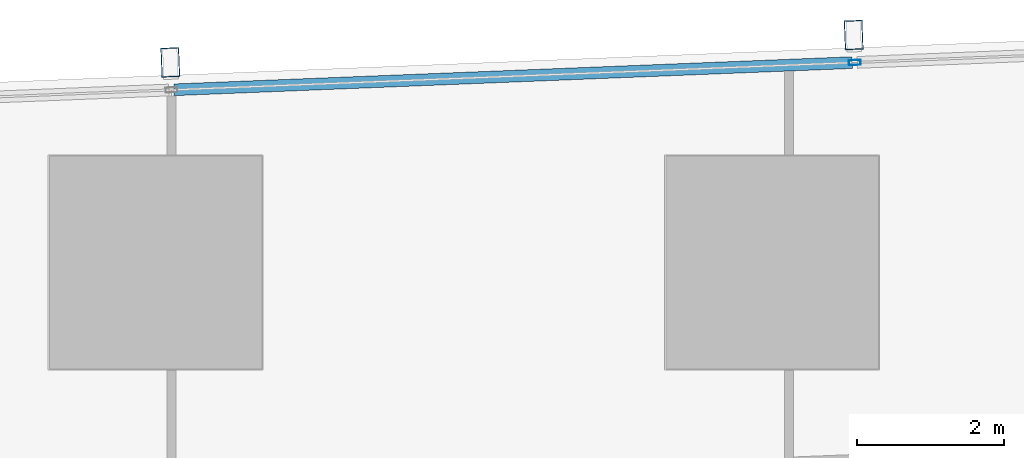
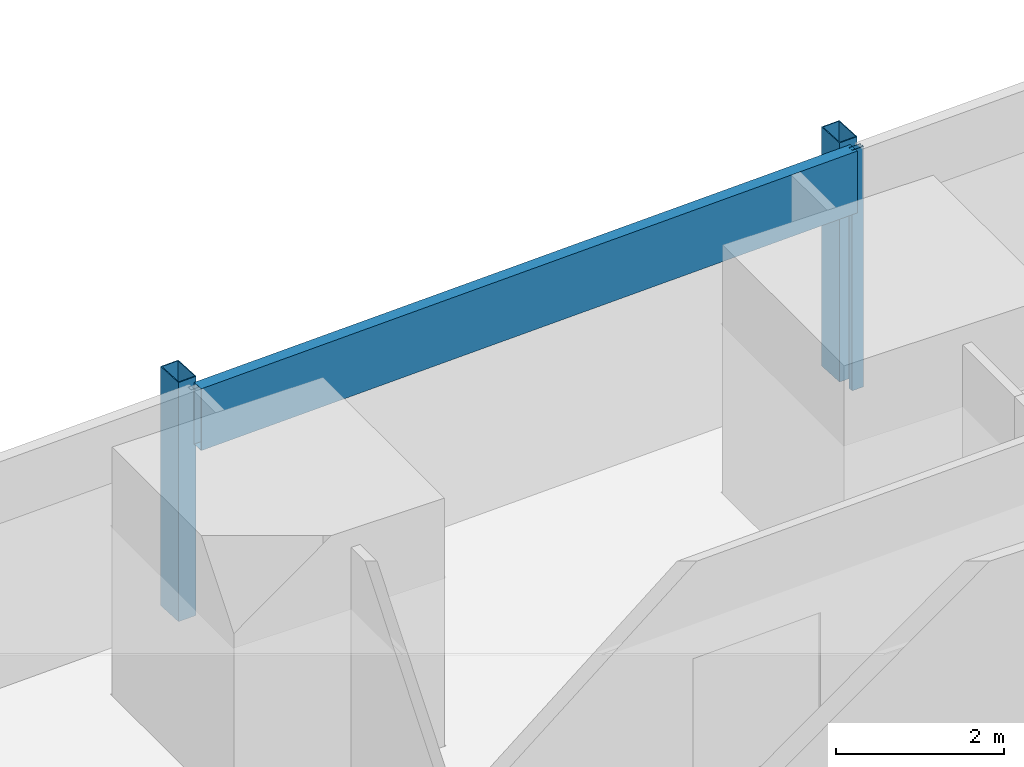
# One storey, part 17 of 40: 4 members, 1 element without a shape of its own.
"""IFC4 building model written with IfcOpenShell, lengths in metres."""

import ifcopenshell
import ifcopenshell.guid

model = None  # the IFC model being written
_history = None  # IfcOwnerHistory: only IFC2X3 demands one
_inside = {}  # id of a spatial element -> (the spatial element, [elements in it])
_under = {}  # id of a project, library or spatial element -> (it, [spatial elements below it])
_declared = {}  # id of a project -> (the project, [libraries it declares])
_typed = {}  # id of a type object -> (the type object, [elements of that type])
_made_of = {}  # id of a material, layer set ... -> (it, [elements and type objects made of it])


def new_model(schema):
    """Start an empty IFC model of exactly this schema.

    Asked for "IFC4X3", IfcOpenShell would pick the latest addendum, in which some entities
    have other attributes; the version numbers below select the first issue.
    IFC2X3 requires an IfcOwnerHistory on every rooted entity: one is made here for all.
    """
    global model, _history
    if schema == "IFC4X3":
        model = ifcopenshell.file(schema_version=(4, 3, 0, 0))
    else:
        model = ifcopenshell.file(schema=schema)
    _inside.clear()
    _under.clear()
    _declared.clear()
    _typed.clear()
    _made_of.clear()
    _history = None
    if model.schema == "IFC2X3":
        org = make("IfcOrganization", Name="unknown")
        user = make(
            "IfcPersonAndOrganization",
            ThePerson=make("IfcPerson", FamilyName="unknown"),
            TheOrganization=org,
        )
        app = make(
            "IfcApplication",
            ApplicationDeveloper=org,
            Version="unknown",
            ApplicationFullName="unknown",
            ApplicationIdentifier="unknown",
        )
        _history = make(
            "IfcOwnerHistory",
            OwningUser=user,
            OwningApplication=app,
            ChangeAction="ADDED",
            CreationDate=0,
        )
    return model


def make(cls, **values):
    """One entity of the class cls with the attributes given. An attribute that is None is left unset."""
    return model.create_entity(
        cls, **{name: value for name, value in values.items() if value is not None}
    )


def rooted(cls, **values):
    """An entity with a GlobalId (a new one), such as an element, a storey or a relation."""
    return make(cls, GlobalId=ifcopenshell.guid.new(), OwnerHistory=_history, **values)


def si_unit(unit_type, name, prefix=None):
    """IfcSIUnit, for example si_unit("LENGTHUNIT", "METRE", prefix="MILLI")."""
    return make("IfcSIUnit", UnitType=unit_type, Prefix=prefix, Name=name)


def assignment(units):
    """IfcUnitAssignment: the units of a project."""
    return None if units is None else make("IfcUnitAssignment", Units=units)


def point(xyz):
    """IfcCartesianPoint."""
    return None if xyz is None else make("IfcCartesianPoint", Coordinates=xyz)


def direction(xyz):
    """IfcDirection."""
    return None if xyz is None else make("IfcDirection", DirectionRatios=xyz)


def frame(location, z_axis=None, x_axis=None):
    """IfcAxis2Placement3D, a coordinate frame: its origin and axes. An axis left out is left unset."""
    return make(
        "IfcAxis2Placement3D",
        Location=point(location),
        Axis=direction(z_axis),
        RefDirection=direction(x_axis),
    )


def frame_2d(location, x_axis=None):
    """IfcAxis2Placement2D, a coordinate frame in the plane: its origin and x axis."""
    return make(
        "IfcAxis2Placement2D", Location=point(location), RefDirection=direction(x_axis)
    )


def origin():
    """The frame at (0, 0, 0) with its axes left unset."""
    return frame((0.0, 0.0, 0.0))


def origin_2d():
    """The frame at (0, 0) in the plane with its x axis left unset."""
    return frame_2d((0.0, 0.0))


def place(relative_to, where):
    """IfcLocalPlacement: puts the frame where relative to a parent placement (None: the world)."""
    return make(
        "IfcLocalPlacement", PlacementRelTo=relative_to, RelativePlacement=where
    )


def context(
    kind, dimensions, precision=None, world=None, true_north=None, identifier=None
):
    """IfcGeometricRepresentationContext, for example the 3D "Model" context."""
    return make(
        "IfcGeometricRepresentationContext",
        ContextIdentifier=identifier,
        ContextType=kind,
        CoordinateSpaceDimension=dimensions,
        Precision=precision,
        WorldCoordinateSystem=world,
        TrueNorth=true_north,
    )


def subcontext(parent, identifier, kind, view, scale=None):
    """IfcGeometricRepresentationSubContext, for example "Body" below "Model"."""
    return make(
        "IfcGeometricRepresentationSubContext",
        ContextIdentifier=identifier,
        ContextType=kind,
        ParentContext=parent,
        TargetScale=scale,
        TargetView=view,
    )


def project(units=None, contexts=None):
    """IfcProject with its units and contexts."""
    return rooted(
        "IfcProject",
        Name="project",
        RepresentationContexts=contexts,
        UnitsInContext=assignment(units),
    )


def spatial(cls, under=None, at=None, **own):
    """A site, building, storey or space (cls), placed at a placement, below another one or the project."""
    s = rooted(cls, ObjectPlacement=at, **own)
    if under is not None:
        _under.setdefault(under.id(), (under, []))[1].append(s)
    return s


def profile(cls, at=None, kind="AREA", **sizes):
    """A parametric profile (cls). Its sizes go by their IFC names, for example OverallWidth=200.0."""
    return make(cls, ProfileType=kind, Position=at, **sizes)


def hollow_rectangle(**sizes):
    """IfcRectangleHollowProfileDef."""
    return profile("IfcRectangleHollowProfileDef", **sizes)


def extrude(swept, where, along, depth):
    """IfcExtrudedAreaSolid: the profile swept, set in the frame where, extruded along a direction by depth."""
    return make(
        "IfcExtrudedAreaSolid",
        SweptArea=swept,
        Position=where,
        ExtrudedDirection=direction(along),
        Depth=depth,
    )


def shape(context_of_items, identifier, shape_type, items):
    """IfcShapeRepresentation: the items that make up one representation, for example the "Body"."""
    return make(
        "IfcShapeRepresentation",
        ContextOfItems=context_of_items,
        RepresentationIdentifier=identifier,
        RepresentationType=shape_type,
        Items=items,
    )


def material(Name=None, Category=None):
    """IfcMaterial."""
    return make("IfcMaterial", Name=Name, Category=Category)


def material_profile(
    of_material, cross_section, Name=None, Category=None, Priority=None
):
    """IfcMaterialProfile: a cross section and its material."""
    return make(
        "IfcMaterialProfile",
        Name=Name,
        Material=of_material,
        Profile=cross_section,
        Priority=Priority,
        Category=Category,
    )


def profile_set(profiles, Name=None, composite=None):
    """IfcMaterialProfileSet."""
    return make(
        "IfcMaterialProfileSet",
        Name=Name,
        MaterialProfiles=profiles,
        CompositeProfile=composite,
    )


def made_of(thing, what):
    """Note that an element or type object is made of a material, layer set ...; save() writes the relation."""
    if what is not None:
        _made_of.setdefault(what.id(), (what, []))[1].append(thing)
    return thing


def type_object(cls, material=None, **own):
    """A type object (cls), such as IfcWallType, which elements share."""
    return made_of(rooted(cls, **own), material)


def element(
    cls,
    number,
    at=None,
    inside=None,
    cuts=None,
    type_object=None,
    material=None,
    context=None,
    identifier="Body",
    shape_type=None,
    held_by="IfcProductDefinitionShape",
    body=None,
    shapes=None,
    **own,
):
    """One element of the class cls, such as IfcWall. Its Tag is "e" and its number.

    at: its placement. inside: the storey or other place that contains it. cuts: it is an
    opening in that element (IfcRelVoidsElement). A single representation is given by context,
    identifier, shape_type and body (its items); several are given by shapes. held_by: the class
    of the entity that holds the representations. save() writes the other relations.
    """
    e = rooted(cls, Tag="e%d" % number, ObjectPlacement=at, **own)
    if body is not None:
        shapes = [shape(context, identifier, shape_type, body)]
    if shapes is not None:
        e.Representation = make(held_by, Representations=shapes)
    if inside is not None:
        _inside.setdefault(inside.id(), (inside, []))[1].append(e)
    if cuts is not None:
        rooted(
            "IfcRelVoidsElement", RelatingBuildingElement=cuts, RelatedOpeningElement=e
        )
    if type_object is not None:
        _typed.setdefault(type_object.id(), (type_object, []))[1].append(e)
    return made_of(e, material)


def aggregate(whole, parts):
    """IfcRelAggregates: a whole, such as a stair, and the parts it consists of."""
    return rooted("IfcRelAggregates", RelatingObject=whole, RelatedObjects=parts)


def save(model, path):
    """Write the relations noted so far, then the file.

    IfcRelAggregates (storeys below a building ...), IfcRelContainedInSpatialStructure (elements
    in a storey), IfcRelDefinesByType, IfcRelAssociatesMaterial and IfcRelDeclares: one each for
    every whole, place, type object, material and project.
    """
    for whole, parts in _under.values():
        aggregate(whole, parts)
    for where, things in _inside.values():
        rooted(
            "IfcRelContainedInSpatialStructure",
            RelatedElements=things,
            RelatingStructure=where,
        )
    for kind, things in _typed.values():
        rooted("IfcRelDefinesByType", RelatedObjects=things, RelatingType=kind)
    for what, things in _made_of.values():
        rooted("IfcRelAssociatesMaterial", RelatedObjects=things, RelatingMaterial=what)
    for by, libraries in _declared.values():
        rooted("IfcRelDeclares", RelatingContext=by, RelatedDefinitions=libraries)
    model.write(path)


model = new_model("IFC4")

# Units and contexts
model_context = context("Model", 3, precision=1e-05, world=origin(), true_north=direction((0.0, 1.0)))
body_context = subcontext(model_context, "Body", "Model", "MODEL_VIEW")
ifc_project = project(units=[si_unit("LENGTHUNIT", "METRE"), si_unit("AREAUNIT", "SQUARE_METRE"), si_unit("VOLUMEUNIT", "CUBIC_METRE"), si_unit("PLANEANGLEUNIT", "RADIAN"), si_unit("MASSUNIT", "GRAM", prefix="KILO")], contexts=[model_context])

# Site, building, storey
site_placement = place(None, origin())
site = spatial("IfcSite", under=ifc_project, at=site_placement, CompositionType="ELEMENT")
building_placement = place(site_placement, origin())
building = spatial("IfcBuilding", under=site, at=building_placement, Name="Rekha Terrace Tower", CompositionType="ELEMENT")
storey_placement = place(building_placement, frame((0.0, 0.0, 95.300048828125)))
storey = spatial("IfcBuildingStorey", under=building, at=storey_placement, Name="L23", CompositionType="ELEMENT", Elevation=95.300048828125)

# Curtain wall, members
ifc_material_1 = material(Name="Aluminium framing", Category="aluminium")
curtain_wall_type = type_object("IfcCurtainWallType", Name="CW3 north unitised glazing", PredefinedType="USERDEFINED", material=ifc_material_1)
curtain_wall_placement = place(storey_placement, origin())
curtain_wall = element("IfcCurtainWall", 1, at=curtain_wall_placement, inside=storey, type_object=curtain_wall_type, Name="CW3 unitised curtain wall", ObjectType="UNITISED CURTAIN WALL", PredefinedType="USERDEFINED")
ifc_material_2 = material(Name="Steel S355 with fluorocarbon finish", Category="steel")
ifc_material_profile_1 = material_profile(ifc_material_2, hollow_rectangle(XDim=0.25, YDim=0.39990234375, WallThickness=0.012451171875, at=origin_2d()), Name="RHS400x250x12.5")
ifc_profile_set_1 = profile_set([ifc_material_profile_1], Name="Steel S355 with fluorocarbon finish")
member_type_1 = type_object("IfcMemberType", Name="BL1 facade blade RHS 400 x 250", PredefinedType="USERDEFINED", material=ifc_profile_set_1)
member_1_placement = place(storey_placement, frame((34.7109375, 61.9013671875, 0.02001953125), z_axis=(0.0, 0.0, 1.0), x_axis=(-0.999198382632, -0.040032388711, 0.0)))
member_1 = element("IfcMember", 2, at=member_1_placement, type_object=member_type_1, Name="Facade blade", ObjectType="FACADE BLADE", PredefinedType="USERDEFINED", context=body_context, shape_type="SweptSolid", body=[
    extrude(hollow_rectangle(XDim=0.25, YDim=0.39990234375, WallThickness=0.012451171875, at=origin_2d()), origin(), (0.0, 0.0, 1.0), 3.47998046875),
])
member_2_placement = place(storey_placement, frame((25.39892578125, 61.5283203125, 0.02001953125), z_axis=(0.0, 0.0, 1.0), x_axis=(-0.999198382632, -0.040032388711, 0.0)))
member_2 = element("IfcMember", 3, at=member_2_placement, type_object=member_type_1, Name="Facade blade", ObjectType="FACADE BLADE", PredefinedType="USERDEFINED", context=body_context, shape_type="SweptSolid", body=[
    extrude(hollow_rectangle(XDim=0.25, YDim=0.39990234375, WallThickness=0.012451171875, at=origin_2d()), origin(), (0.0, 0.0, 1.0), 3.47998046875),
])
ifc_material_3 = material(Name="Aluminium mullion section", Category="aluminium")
ifc_material_profile_2 = material_profile(ifc_material_3, hollow_rectangle(XDim=0.070068359375, YDim=0.159912109375, WallThickness=0.00390625, at=origin_2d()), Name="AL RHS 70x160")
ifc_profile_set_2 = profile_set([ifc_material_profile_2], Name="Aluminium mullion section")
member_type_2 = type_object("IfcMemberType", Name="CW3 mullion RHS 70 x 160", PredefinedType="MULLION", material=ifc_profile_set_2)
member_3_placement = place(storey_placement, frame((34.725830078125, 61.526611328125, 0.0), z_axis=(0.0, 0.0, 1.0), x_axis=(0.040031987119, -0.999198398721, 0.0)))
member_3 = element("IfcMember", 4, at=member_3_placement, type_object=member_type_2, Name="CW3 mullion 2", PredefinedType="MULLION", context=body_context, shape_type="SweptSolid", body=[
    extrude(hollow_rectangle(XDim=0.070068359375, YDim=0.159912109375, WallThickness=0.00390625, at=origin_2d()), origin(), (0.0, 0.0, 1.0), 3.5),
])
ifc_material_4 = material(Name="Insulated aluminium spandrel box", Category="aluminium")
ifc_material_profile_3 = material_profile(ifc_material_4, hollow_rectangle(XDim=0.159912109375, YDim=0.89990234375, WallThickness=0.0029296875, at=origin_2d()), Name="AL SPANDREL BOX 160x900")
ifc_profile_set_3 = profile_set([ifc_material_profile_3], Name="Insulated aluminium spandrel box")
member_type_3 = type_object("IfcMemberType", Name="CW3 spandrel transom 160 x 900", PredefinedType="USERDEFINED", material=ifc_profile_set_3)
member_4_placement = place(storey_placement, frame((34.69091796875, 61.525390625, 3.050048828125), z_axis=(-0.999198046754, -0.040040771263, 0.0), x_axis=(0.040040771263, -0.999198046754, 0.0)))
member_4 = element("IfcMember", 5, at=member_4_placement, type_object=member_type_3, Name="CW3 spandrel transom 2", ObjectType="TRANSOM", PredefinedType="USERDEFINED", context=body_context, shape_type="SweptSolid", body=[
    extrude(hollow_rectangle(XDim=0.159912109375, YDim=0.89990234375, WallThickness=0.0029296875, at=origin_2d()), origin(), (0.0, 0.0, 1.0), 9.24951171875),
])
aggregate(curtain_wall, [member_3, member_4, member_1, member_2])

save(model, "model.ifc")
